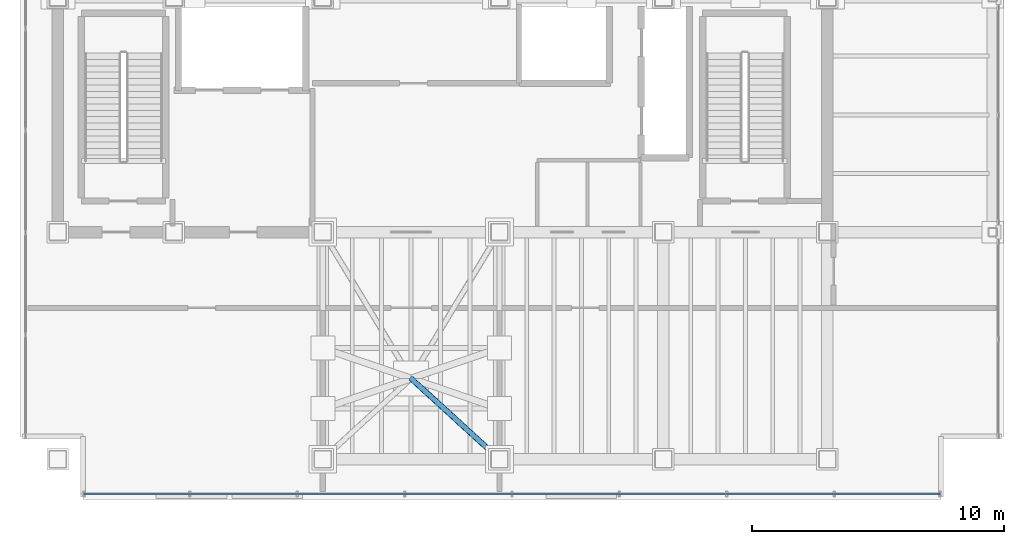
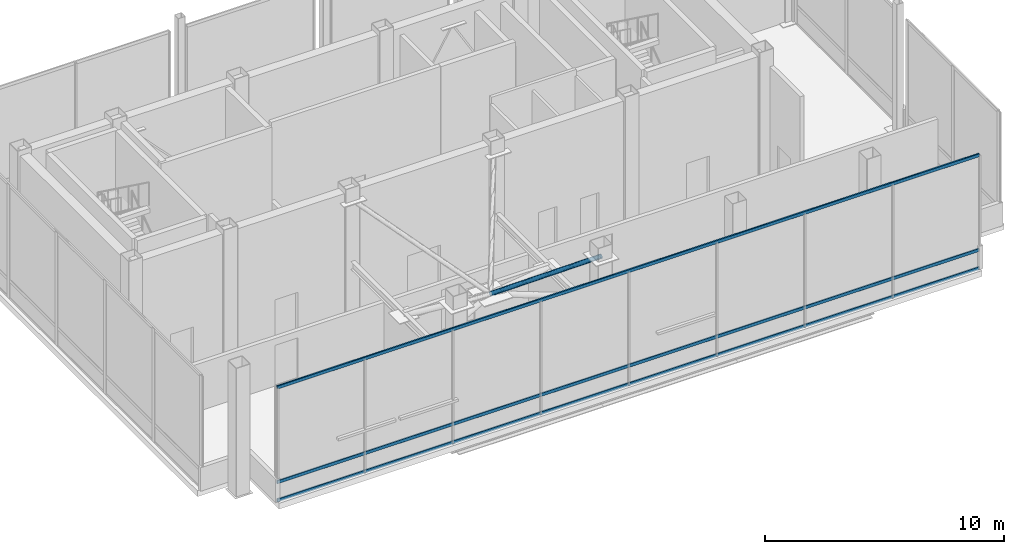
# One storey, part 8 of 19: 4 members, 1 element without a shape of its own.
"""IFC4 building model written with IfcOpenShell, lengths in metres."""

from ifc_helpers import new_model, si_unit, direction, frame, origin, origin_2d, place, context, subcontext, project, spatial, hollow_rectangle, hollow_circle, extrude, material, material_profile, profile_set, type_object, element, aggregate, save


model = new_model("IFC4")

# Units and contexts
model_context = context("Model", 3, precision=1e-05, world=origin(), true_north=direction((0.0, 1.0)))
body_context = subcontext(model_context, "Body", "Model", "MODEL_VIEW")
ifc_project = project(units=[si_unit("LENGTHUNIT", "METRE"), si_unit("AREAUNIT", "SQUARE_METRE"), si_unit("VOLUMEUNIT", "CUBIC_METRE"), si_unit("PLANEANGLEUNIT", "RADIAN"), si_unit("MASSUNIT", "GRAM", prefix="KILO")], contexts=[model_context])

# Site, building, storey
site_placement = place(None, origin())
site = spatial("IfcSite", under=ifc_project, at=site_placement, CompositionType="ELEMENT")
building_placement = place(site_placement, origin())
building = spatial("IfcBuilding", under=site, at=building_placement, Name="Noeulbin Bourse Tower", CompositionType="ELEMENT")
storey_placement = place(building_placement, frame((0.0, 0.0, 306.0)))
storey = spatial("IfcBuildingStorey", under=building, at=storey_placement, Name="L76", CompositionType="ELEMENT", Elevation=306.0)

# Curtain wall, members
ifc_material_1 = material(Name="Translucent Ceramic-Fritted Glass", Category="glass")
curtain_wall_type = type_object("IfcCurtainWallType", Name="CW-SYS-5", PredefinedType="NOTDEFINED", material=ifc_material_1)
curtain_wall_placement = place(storey_placement, origin())
curtain_wall = element("IfcCurtainWall", 1, at=curtain_wall_placement, inside=storey, type_object=curtain_wall_type, Name="Unitised Curtain Wall CW-L76-S1", PredefinedType="NOTDEFINED")
ifc_material_2 = material(Name="Anodised Aluminium 6063-T6", Category="aluminium")
ifc_material_profile_1 = material_profile(ifc_material_2, hollow_rectangle(XDim=0.074951171875, YDim=0.159912109375, WallThickness=0.0048828125, InnerFilletRadius=0.00244140625, OuterFilletRadius=0.0048828125, at=origin_2d()), Name="ALU-TRAN-75x160x5", Category="LoadBearing")
ifc_profile_set_1 = profile_set([ifc_material_profile_1], Name="Anodised Aluminium 6063-T6")
member_type_1 = type_object("IfcMemberType", Name="CW-SYS-5-TRN", PredefinedType="USERDEFINED", material=ifc_profile_set_1)
member_1_placement = place(storey_placement, frame((14.530029296875, 18.6201171875, 0.010009765625), z_axis=(1.0, 0.0, 0.0), x_axis=(0.0, 1.0, 0.0)))
member_1 = element("IfcMember", 2, at=member_1_placement, type_object=member_type_1, Name="Curtain Wall Transom CW-L76-S1-T00", ObjectType="TRANSOM", PredefinedType="USERDEFINED", context=body_context, shape_type="SweptSolid", body=[
    extrude(hollow_rectangle(XDim=0.074951171875, YDim=0.159912109375, WallThickness=0.0048828125, InnerFilletRadius=0.00244140625, OuterFilletRadius=0.0048828125, at=origin_2d()), origin(), (0.0, 0.0, 1.0), 33.93994140625),
])
member_2_placement = place(storey_placement, frame((14.530029296875, 18.6201171875, 0.949951171875), z_axis=(1.0, 0.0, 0.0), x_axis=(0.0, 1.0, 0.0)))
member_2 = element("IfcMember", 3, at=member_2_placement, type_object=member_type_1, Name="Curtain Wall Transom CW-L76-S1-T01", ObjectType="TRANSOM", PredefinedType="USERDEFINED", context=body_context, shape_type="SweptSolid", body=[
    extrude(hollow_rectangle(XDim=0.074951171875, YDim=0.159912109375, WallThickness=0.0048828125, InnerFilletRadius=0.00244140625, OuterFilletRadius=0.0048828125, at=origin_2d()), origin(), (0.0, 0.0, 1.0), 33.93994140625),
])
member_3_placement = place(storey_placement, frame((14.530029296875, 18.6201171875, 5.7900390625), z_axis=(1.0, 0.0, 0.0), x_axis=(0.0, 1.0, 0.0)))
member_3 = element("IfcMember", 4, at=member_3_placement, type_object=member_type_1, Name="Curtain Wall Transom CW-L76-S1-T02", ObjectType="TRANSOM", PredefinedType="USERDEFINED", context=body_context, shape_type="SweptSolid", body=[
    extrude(hollow_rectangle(XDim=0.074951171875, YDim=0.159912109375, WallThickness=0.0048828125, InnerFilletRadius=0.00244140625, OuterFilletRadius=0.0048828125, at=origin_2d()), origin(), (0.0, 0.0, 1.0), 33.93994140625),
])
aggregate(curtain_wall, [member_1, member_2, member_3])

# Member
ifc_material_3 = material(Name="Steel S355", Category="steel")
ifc_material_profile_2 = material_profile(ifc_material_3, hollow_circle(Radius=0.108154296875, WallThickness=0.00830078125, at=origin_2d()), Name="CHS-216.3x8.2", Category="LoadBearing")
ifc_profile_set_2 = profile_set([ifc_material_profile_2], Name="Steel S355")
member_type_2 = type_object("IfcMemberType", Name="MEM-TMD-216", PredefinedType="STRUT", material=ifc_profile_set_2)
member_4_placement = place(storey_placement, frame((31.0, 20.0, 5.889892578125), z_axis=(-0.644853565807, 0.58957140674, -0.486384040672), x_axis=(-0.674763591306, -0.738033939496, 0.0)))
element("IfcMember", 5, at=member_4_placement, inside=storey, type_object=member_type_2, Name="Tuned Mass Damper Pendulum Tie Strut TM-2", PredefinedType="STRUT", context=body_context, shape_type="SweptSolid", body=[
    extrude(hollow_circle(Radius=0.108154296875, WallThickness=0.00830078125, at=origin_2d()), origin(), (0.0, 0.0, 1.0), 5.427490234375),
])

save(model, "model.ifc")
